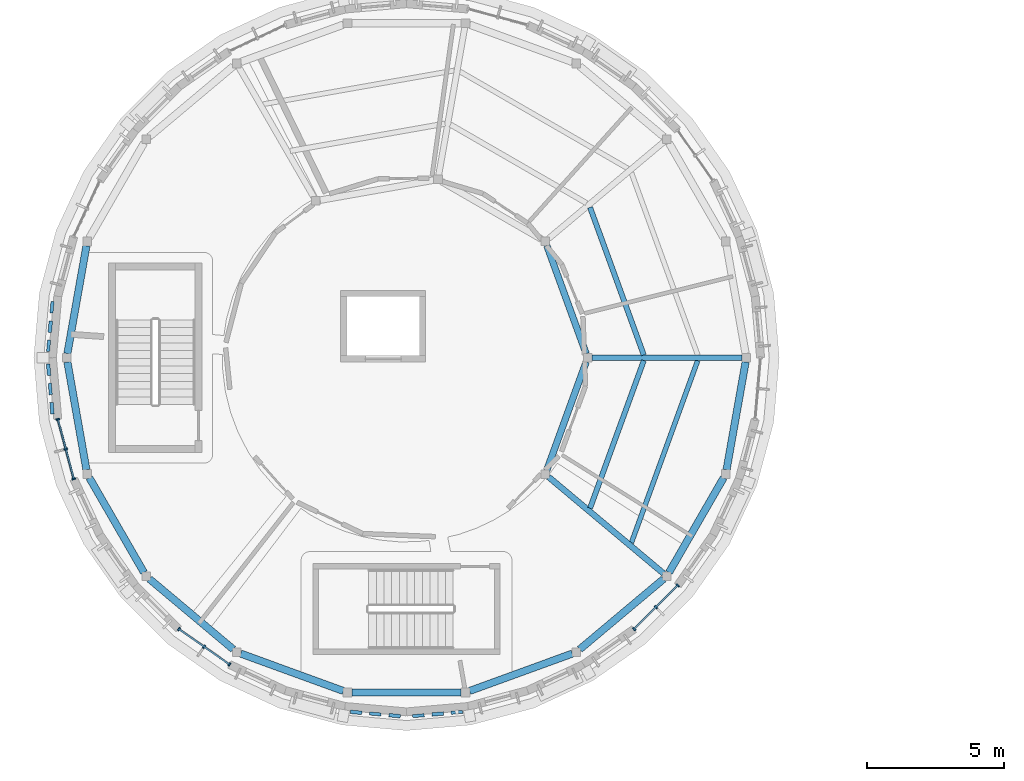
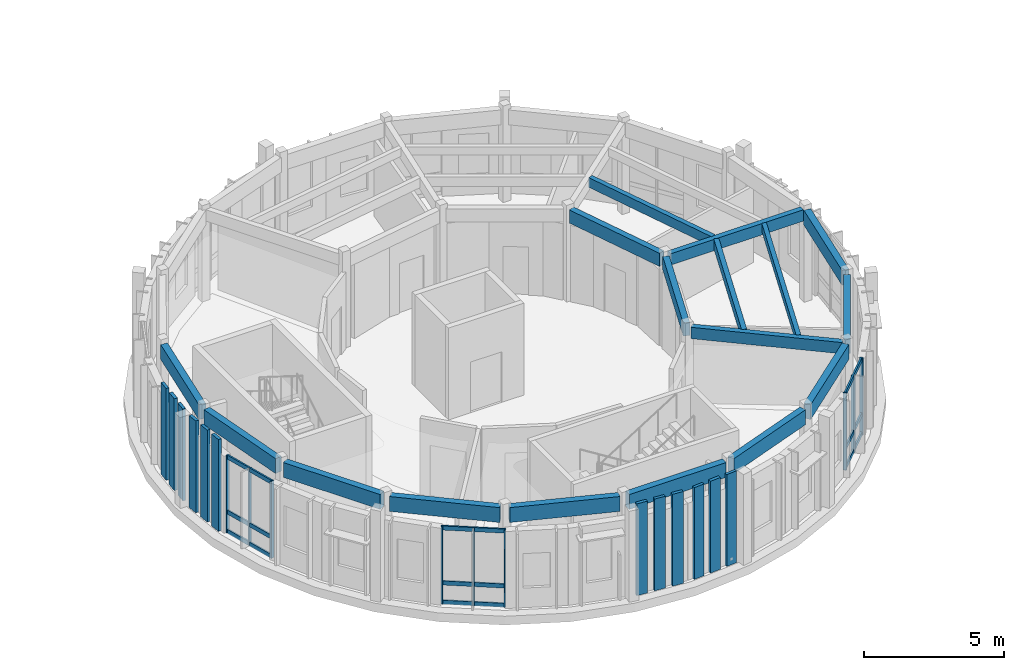
# One storey, part 4 of 37: 30 members, 17 beams, 3 elements without a shape of their own.
"""IFC4 building model written with IfcOpenShell, lengths in metres."""

from ifc_helpers import new_model, si_unit, direction, frame, origin, origin_2d, place, context, subcontext, project, spatial, rectangle, extrude, material, layer, layer_set, material_profile, profile_set, type_object, element, aggregate, save


model = new_model("IFC4")

# Units and contexts
model_context = context("Model", 3, precision=1e-05, world=origin(), true_north=direction((0.0, 1.0)))
body_context = subcontext(model_context, "Body", "Model", "MODEL_VIEW")
ifc_project = project(units=[si_unit("LENGTHUNIT", "METRE"), si_unit("AREAUNIT", "SQUARE_METRE"), si_unit("VOLUMEUNIT", "CUBIC_METRE"), si_unit("PLANEANGLEUNIT", "RADIAN"), si_unit("MASSUNIT", "GRAM", prefix="KILO")], contexts=[model_context])

# Site, building, storey
site_placement = place(None, origin())
site = spatial("IfcSite", under=ifc_project, at=site_placement, CompositionType="ELEMENT")
building_placement = place(site_placement, origin())
building = spatial("IfcBuilding", under=site, at=building_placement, Name="Aldenvaro Health Centre", CompositionType="ELEMENT")
storey_placement = place(building_placement, frame((0.0, 0.0, 12.949951171875)))
storey = spatial("IfcBuildingStorey", under=building, at=storey_placement, Name="L03", CompositionType="ELEMENT", Elevation=12.949951171875)

# Beams
ifc_material_1 = material(Name="Glulam GL28h", Category="wood")
ifc_material_profile_1 = material_profile(ifc_material_1, rectangle(XDim=0.175048828125, YDim=0.35009765625, at=origin_2d()), Name="GL 175x350", Category="wood")
ifc_profile_set_1 = profile_set([ifc_material_profile_1], Name="Glulam GL28h")
beam_type_1 = type_object("IfcBeamType", Name="BM-GL-350", PredefinedType="JOIST", material=ifc_profile_set_1)
beam_1_placement = place(storey_placement, frame((26.69189453125, 11.758056640625, 3.820068359375), z_axis=(0.342009334008, 0.939696554985, 0.0), x_axis=(-0.939696554985, 0.342009334008, 0.0)))
element("IfcBeam", 1, at=beam_1_placement, inside=storey, type_object=beam_type_1, Name="D5 L03 secondary joist 05.2", PredefinedType="JOIST", context=body_context, shape_type="SweptSolid", body=[
    extrude(rectangle(XDim=0.175048828125, YDim=0.35009765625, at=origin_2d()), origin(), (0.0, 0.0, 1.0), 7.067138671875),
])
ifc_material_profile_2 = material_profile(ifc_material_1, rectangle(XDim=0.18994140625, YDim=0.41796875, at=origin_2d()), Name="GL 190x418", Category="wood")
ifc_profile_set_2 = profile_set([ifc_material_profile_2], Name="Glulam GL28h")
beam_type_2 = type_object("IfcBeamType", Name="BM-GL-418", PredefinedType="JOIST", material=ifc_profile_set_2)
for number, where, z_axis, x_axis, name in (
    (2, (27.14404296875, 18.60107421875, 3.7861328125), (-0.341962269954, 0.939713682952, 0.0), (-0.939713682952, -0.341962269954, 0.0), "D5 L03 secondary joist 01.1"),
    (3, (25.18701171875, 13.02099609375, 3.7861328125), (0.341962269954, 0.939713682952, 0.0), (-0.939713682952, 0.341962269954, 0.0), "D5 L03 secondary joist 05.1"),
):
    element("IfcBeam", number, at=place(storey_placement, frame(where, z_axis=z_axis, x_axis=x_axis)), inside=storey, type_object=beam_type_2, Name=name, PredefinedType="JOIST", context=body_context, shape_type="SweptSolid", body=[
        extrude(rectangle(XDim=0.18994140625, YDim=0.41796875, at=origin_2d()), origin(), (0.0, 0.0, 1.0), 5.722900390625),
    ])
ifc_material_profile_3 = material_profile(ifc_material_1, rectangle(XDim=0.215087890625, YDim=0.493896484375, at=origin_2d()), Name="GL 215x494", Category="wood")
ifc_profile_set_3 = profile_set([ifc_material_profile_3], Name="Glulam GL28h")
beam_type_3 = type_object("IfcBeamType", Name="BM-GL-494", PredefinedType="BEAM", material=ifc_profile_set_3)
beam_2_placement = place(storey_placement, frame((25.258056640625, 18.5, 3.748046875), z_axis=(1.0, 0.0, 0.0), x_axis=(0.0, 1.0, 0.0)))
element("IfcBeam", 4, at=beam_2_placement, inside=storey, type_object=beam_type_3, Name="D5 L03 radial beam 01", PredefinedType="BEAM", context=body_context, shape_type="SweptSolid", body=[
    extrude(rectangle(XDim=0.215087890625, YDim=0.493896484375, at=origin_2d()), origin(), (0.0, 0.0, 1.0), 5.46484375),
])
beam_3_placement = place(storey_placement, frame((23.677001953125, 14.156982421875, 3.748046875), z_axis=(0.765916902312, -0.642939576285, 0.0), x_axis=(0.642939576285, 0.765916902312, 0.0)))
element("IfcBeam", 5, at=beam_3_placement, inside=storey, type_object=beam_type_3, Name="D5 L03 radial beam 05", PredefinedType="BEAM", context=body_context, shape_type="SweptSolid", body=[
    extrude(rectangle(XDim=0.215087890625, YDim=0.493896484375, at=origin_2d()), origin(), (0.0, 0.0, 1.0), 5.46533203125),
])
ifc_material_profile_4 = material_profile(ifc_material_1, rectangle(XDim=0.239990234375, YDim=0.570068359375, at=origin_2d()), Name="GL 240x570", Category="wood")
ifc_profile_set_4 = profile_set([ifc_material_profile_4], Name="Glulam GL28h")
beam_type_4 = type_object("IfcBeamType", Name="BM-GL-570", PredefinedType="BEAM", material=ifc_profile_set_4)
for number, where, z_axis, x_axis, name in (
    (6, (25.0458984375, 18.64794921875, 3.7099609375), (-0.341925117518, 0.939727201911, 0.0), (-0.939727201911, -0.341925117518, 0.0), "D5 L03 inner ring beam 01"),
    (7, (23.610107421875, 14.406005859375, 3.7099609375), (0.341925117518, 0.939727201911, 0.0), (-0.939727201911, 0.341925117518, 0.0), "D5 L03 inner ring beam 05"),
):
    element("IfcBeam", number, at=place(storey_placement, frame(where, z_axis=z_axis, x_axis=x_axis)), inside=storey, type_object=beam_type_4, Name=name, PredefinedType="BEAM", context=body_context, shape_type="SweptSolid", body=[
        extrude(rectangle(XDim=0.239990234375, YDim=0.570068359375, at=origin_2d()), origin(), (0.0, 0.0, 1.0), 4.19921875),
    ])
ifc_material_profile_5 = material_profile(ifc_material_1, rectangle(XDim=0.264892578125, YDim=0.64599609375, at=origin_2d()), Name="GL 265x646", Category="wood")
ifc_profile_set_5 = profile_set([ifc_material_profile_5], Name="Glulam GL28h")
beam_type_5 = type_object("IfcBeamType", Name="BM-GL-646", PredefinedType="SPANDREL", material=ifc_profile_set_5)
for number, where, z_axis, x_axis, name in (
    (8, (6.840087890625, 22.5791015625, 3.672119140625), (-0.173939117933, -0.984756408079, 0.0), (0.984756408079, -0.173939117933, 0.0), "D5 L03 perimeter spandrel 09"),
    (9, (6.14697265625, 18.344970703125, 3.672119140625), (0.173939117933, -0.984756408079, 0.0), (0.984756408079, 0.173939117933, 0.0), "D5 L03 perimeter spandrel 10"),
    (10, (6.946044921875, 14.1298828125, 3.672119140625), (0.499625213324, -0.86624167887, 0.0), (0.86624167887, 0.499625213324, 0.0), "D5 L03 perimeter spandrel 11"),
):
    element("IfcBeam", number, at=place(storey_placement, frame(where, z_axis=z_axis, x_axis=x_axis)), inside=storey, type_object=beam_type_5, Name=name, PredefinedType="SPANDREL", context=body_context, shape_type="SweptSolid", body=[
        extrude(rectangle(XDim=0.264892578125, YDim=0.64599609375, at=origin_2d()), origin(), (0.0, 0.0, 1.0), 3.98486328125),
    ])
beam_4_placement = place(storey_placement, frame((9.136962890625, 10.44091796875, 3.672119140625), z_axis=(0.766031905624, -0.642802550995, 0.0), x_axis=(0.642802550995, 0.766031905624, 0.0)))
element("IfcBeam", 11, at=beam_4_placement, inside=storey, type_object=beam_type_5, Name="D5 L03 perimeter spandrel 12", PredefinedType="SPANDREL", context=body_context, shape_type="SweptSolid", body=[
    extrude(rectangle(XDim=0.264892578125, YDim=0.64599609375, at=origin_2d()), origin(), (0.0, 0.0, 1.0), 3.984130859375),
])
beam_5_placement = place(storey_placement, frame((12.4580078125, 7.72509765625, 3.672119140625), z_axis=(0.939662752653, -0.3421021942, 0.0), x_axis=(0.3421021942, 0.939662752653, 0.0)))
element("IfcBeam", 12, at=beam_5_placement, inside=storey, type_object=beam_type_5, Name="D5 L03 perimeter spandrel 13", PredefinedType="SPANDREL", context=body_context, shape_type="SweptSolid", body=[
    extrude(rectangle(XDim=0.264892578125, YDim=0.64599609375, at=origin_2d()), origin(), (0.0, 0.0, 1.0), 3.984375),
])
beam_6_placement = place(storey_placement, frame((16.508056640625, 6.30810546875, 3.672119140625), z_axis=(1.0, 0.0, 0.0), x_axis=(0.0, 1.0, 0.0)))
element("IfcBeam", 13, at=beam_6_placement, inside=storey, type_object=beam_type_5, Name="D5 L03 perimeter spandrel 14", PredefinedType="SPANDREL", context=body_context, shape_type="SweptSolid", body=[
    extrude(rectangle(XDim=0.264892578125, YDim=0.64599609375, at=origin_2d()), origin(), (0.0, 0.0, 1.0), 3.98388671875),
])
beam_7_placement = place(storey_placement, frame((20.798095703125, 6.362060546875, 3.672119140625), z_axis=(0.939662752653, 0.3421021942, 0.0), x_axis=(-0.3421021942, 0.939662752653, 0.0)))
element("IfcBeam", 14, at=beam_7_placement, inside=storey, type_object=beam_type_5, Name="D5 L03 perimeter spandrel 15", PredefinedType="SPANDREL", context=body_context, shape_type="SweptSolid", body=[
    extrude(rectangle(XDim=0.264892578125, YDim=0.64599609375, at=origin_2d()), origin(), (0.0, 0.0, 1.0), 3.984375),
])
beam_8_placement = place(storey_placement, frame((24.81103515625, 7.8798828125, 3.672119140625), z_axis=(0.766031905624, 0.642802550995, 0.0), x_axis=(-0.642802550995, 0.766031905624, 0.0)))
element("IfcBeam", 15, at=beam_8_placement, inside=storey, type_object=beam_type_5, Name="D5 L03 perimeter spandrel 16", PredefinedType="SPANDREL", context=body_context, shape_type="SweptSolid", body=[
    extrude(rectangle(XDim=0.264892578125, YDim=0.64599609375, at=origin_2d()), origin(), (0.0, 0.0, 1.0), 3.984130859375),
])
for number, where, z_axis, x_axis, name in (
    (16, (28.06298828125, 10.677978515625, 3.672119140625), (0.499625213324, 0.86624167887, 0.0), (-0.86624167887, 0.499625213324, 0.0), "D5 L03 perimeter spandrel 17"),
    (17, (30.159912109375, 14.4208984375, 3.672119140625), (0.173939117933, 0.984756408079, 0.0), (-0.984756408079, 0.173939117933, 0.0), "D5 L03 perimeter spandrel 18"),
):
    element("IfcBeam", number, at=place(storey_placement, frame(where, z_axis=z_axis, x_axis=x_axis)), inside=storey, type_object=beam_type_5, Name=name, PredefinedType="SPANDREL", context=body_context, shape_type="SweptSolid", body=[
        extrude(rectangle(XDim=0.264892578125, YDim=0.64599609375, at=origin_2d()), origin(), (0.0, 0.0, 1.0), 3.98486328125),
    ])

# Curtain wall, members
ifc_material_2 = material(Name="Anodised Aluminium 6063-T6", Category="aluminium")
ifc_layer = layer(ifc_material_2, 0.22509765625, Name="Anodised Aluminium 6063-T6", Category="aluminium")
ifc_layer_set = layer_set([ifc_layer], Name="Anodised Aluminium 6063-T6")
curtain_wall_type = type_object("IfcCurtainWallType", Name="CW-TER-04", PredefinedType="NOTDEFINED", material=ifc_layer_set)
curtain_wall_1_placement = place(storey_placement, origin())
curtain_wall_1 = element("IfcCurtainWall", 18, at=curtain_wall_1_placement, inside=storey, type_object=curtain_wall_type, Name="D5 L03 curtain wall bay 05", PredefinedType="NOTDEFINED")
ifc_material_profile_6 = material_profile(ifc_material_2, rectangle(XDim=0.06005859375, YDim=0.135009765625, at=origin_2d()), Name="ALU 60x135", Category="aluminium")
ifc_profile_set_6 = profile_set([ifc_material_profile_6], Name="Anodised Aluminium 6063-T6")
member_type_1 = type_object("IfcMemberType", Name="CWM-150", PredefinedType="MULLION", material=ifc_profile_set_6)
member_1_placement = place(storey_placement, frame((28.382080078125, 10.2080078125, 0.0), z_axis=(0.0, 0.0, 1.0), x_axis=(-0.707106781187, -0.707106781187, 0.0)))
member_1 = element("IfcMember", 19, at=member_1_placement, type_object=member_type_1, Name="D5 L03 curtain wall bay 05 mullion 1", PredefinedType="MULLION", context=body_context, shape_type="SweptSolid", body=[
    extrude(rectangle(XDim=0.06005859375, YDim=0.135009765625, at=origin_2d()), origin(), (0.0, 0.0, 1.0), 3.34912109375),
])
member_2_placement = place(storey_placement, frame((27.5869140625, 9.4130859375, 0.0), z_axis=(0.0, 0.0, 1.0), x_axis=(-0.707106781187, -0.707106781187, 0.0)))
member_2 = element("IfcMember", 20, at=member_2_placement, type_object=member_type_1, Name="D5 L03 curtain wall bay 05 mullion 2", PredefinedType="MULLION", context=body_context, shape_type="SweptSolid", body=[
    extrude(rectangle(XDim=0.06005859375, YDim=0.135009765625, at=origin_2d()), origin(), (0.0, 0.0, 1.0), 3.34912109375),
])
member_3_placement = place(storey_placement, frame((26.7919921875, 8.617919921875, 0.0), z_axis=(0.0, 0.0, 1.0), x_axis=(-0.707106781187, -0.707106781187, 0.0)))
member_3 = element("IfcMember", 21, at=member_3_placement, type_object=member_type_1, Name="D5 L03 curtain wall bay 05 mullion 3", PredefinedType="MULLION", context=body_context, shape_type="SweptSolid", body=[
    extrude(rectangle(XDim=0.06005859375, YDim=0.135009765625, at=origin_2d()), origin(), (0.0, 0.0, 1.0), 3.34912109375),
])

curtain_wall_2_placement = place(storey_placement, origin())
curtain_wall_2 = element("IfcCurtainWall", 22, at=curtain_wall_2_placement, inside=storey, type_object=curtain_wall_type, Name="D5 L03 curtain wall bay 13", PredefinedType="NOTDEFINED")
member_4_placement = place(storey_placement, frame((12.050048828125, 7.327880859375, 0.0), z_axis=(0.0, 0.0, 1.0), x_axis=(-0.819106553991, 0.573641397746, 0.0)))
member_4 = element("IfcMember", 23, at=member_4_placement, type_object=member_type_1, Name="D5 L03 curtain wall bay 13 mullion 1", PredefinedType="MULLION", context=body_context, shape_type="SweptSolid", body=[
    extrude(rectangle(XDim=0.06005859375, YDim=0.135009765625, at=origin_2d()), origin(), (0.0, 0.0, 1.0), 3.34912109375),
])
member_5_placement = place(storey_placement, frame((11.12890625, 7.972900390625, 0.0), z_axis=(0.0, 0.0, 1.0), x_axis=(-0.819106553991, 0.573641397746, 0.0)))
member_5 = element("IfcMember", 24, at=member_5_placement, type_object=member_type_1, Name="D5 L03 curtain wall bay 13 mullion 2", PredefinedType="MULLION", context=body_context, shape_type="SweptSolid", body=[
    extrude(rectangle(XDim=0.06005859375, YDim=0.135009765625, at=origin_2d()), origin(), (0.0, 0.0, 1.0), 3.34912109375),
])
member_6_placement = place(storey_placement, frame((10.2080078125, 8.617919921875, 0.0), z_axis=(0.0, 0.0, 1.0), x_axis=(-0.819106553991, 0.573641397746, 0.0)))
member_6 = element("IfcMember", 25, at=member_6_placement, type_object=member_type_1, Name="D5 L03 curtain wall bay 13 mullion 3", PredefinedType="MULLION", context=body_context, shape_type="SweptSolid", body=[
    extrude(rectangle(XDim=0.06005859375, YDim=0.135009765625, at=origin_2d()), origin(), (0.0, 0.0, 1.0), 3.34912109375),
])

curtain_wall_3_placement = place(storey_placement, origin())
curtain_wall_3 = element("IfcCurtainWall", 26, at=curtain_wall_3_placement, inside=storey, type_object=curtain_wall_type, Name="D5 L03 curtain wall bay 17", PredefinedType="NOTDEFINED")
member_7_placement = place(storey_placement, frame((6.3779296875, 14.087890625, 0.0), z_axis=(0.0, 0.0, 1.0), x_axis=(-0.258825000966, 0.9659242304, 0.0)))
member_7 = element("IfcMember", 27, at=member_7_placement, type_object=member_type_1, Name="D5 L03 curtain wall bay 17 mullion 1", PredefinedType="MULLION", context=body_context, shape_type="SweptSolid", body=[
    extrude(rectangle(XDim=0.06005859375, YDim=0.135009765625, at=origin_2d()), origin(), (0.0, 0.0, 1.0), 3.34912109375),
])
member_8_placement = place(storey_placement, frame((6.0869140625, 15.174072265625, 0.0), z_axis=(0.0, 0.0, 1.0), x_axis=(-0.258825000966, 0.9659242304, 0.0)))
member_8 = element("IfcMember", 28, at=member_8_placement, type_object=member_type_1, Name="D5 L03 curtain wall bay 17 mullion 2", PredefinedType="MULLION", context=body_context, shape_type="SweptSolid", body=[
    extrude(rectangle(XDim=0.06005859375, YDim=0.135009765625, at=origin_2d()), origin(), (0.0, 0.0, 1.0), 3.34912109375),
])
member_9_placement = place(storey_placement, frame((5.7958984375, 16.260009765625, 0.0), z_axis=(0.0, 0.0, 1.0), x_axis=(-0.258825000966, 0.9659242304, 0.0)))
member_9 = element("IfcMember", 29, at=member_9_placement, type_object=member_type_1, Name="D5 L03 curtain wall bay 17 mullion 3", PredefinedType="MULLION", context=body_context, shape_type="SweptSolid", body=[
    extrude(rectangle(XDim=0.06005859375, YDim=0.135009765625, at=origin_2d()), origin(), (0.0, 0.0, 1.0), 3.34912109375),
])

# Member
ifc_material_profile_7 = material_profile(ifc_material_2, rectangle(XDim=0.06494140625, YDim=0.179931640625, at=origin_2d()), Name="ALU 65x180", Category="aluminium")
ifc_profile_set_7 = profile_set([ifc_material_profile_7], Name="Anodised Aluminium 6063-T6")
member_type_2 = type_object("IfcMemberType", Name="CWT-150", PredefinedType="USERDEFINED", material=ifc_profile_set_7)
member_10_placement = place(storey_placement, frame((28.382080078125, 10.2080078125, 0.06005859375), z_axis=(-0.707106781187, -0.707106781187, 0.0), x_axis=(0.707106781187, -0.707106781187, 0.0)))
member_10 = element("IfcMember", 30, at=member_10_placement, type_object=member_type_2, Name="D5 L03 curtain wall bay 05 transom 1", ObjectType="TRANSOM", PredefinedType="USERDEFINED", context=body_context, shape_type="SweptSolid", body=[
    extrude(rectangle(XDim=0.06494140625, YDim=0.179931640625, at=origin_2d()), origin(), (0.0, 0.0, 1.0), 2.248779296875),
])

member_11_placement = place(storey_placement, frame((28.382080078125, 10.2080078125, 0.900146484375), z_axis=(-0.707106781187, -0.707106781187, 0.0), x_axis=(0.707106781187, -0.707106781187, 0.0)))
member_11 = element("IfcMember", 31, at=member_11_placement, type_object=member_type_2, Name="D5 L03 curtain wall bay 05 transom 2", ObjectType="TRANSOM", PredefinedType="USERDEFINED", context=body_context, shape_type="SweptSolid", body=[
    extrude(rectangle(XDim=0.06494140625, YDim=0.179931640625, at=origin_2d()), origin(), (0.0, 0.0, 1.0), 2.248779296875),
])

member_12_placement = place(storey_placement, frame((28.382080078125, 10.2080078125, 3.2890625), z_axis=(-0.707106781187, -0.707106781187, 0.0), x_axis=(0.707106781187, -0.707106781187, 0.0)))
member_12 = element("IfcMember", 32, at=member_12_placement, type_object=member_type_2, Name="D5 L03 curtain wall bay 05 transom 3", ObjectType="TRANSOM", PredefinedType="USERDEFINED", context=body_context, shape_type="SweptSolid", body=[
    extrude(rectangle(XDim=0.06494140625, YDim=0.179931640625, at=origin_2d()), origin(), (0.0, 0.0, 1.0), 2.248779296875),
])

aggregate(curtain_wall_1, [member_1, member_2, member_3, member_10, member_11, member_12])

member_13_placement = place(storey_placement, frame((12.050048828125, 7.327880859375, 0.06005859375), z_axis=(-0.819104393925, 0.573644482107, 0.0), x_axis=(-0.573644482107, -0.819104393925, 0.0)))
member_13 = element("IfcMember", 33, at=member_13_placement, type_object=member_type_2, Name="D5 L03 curtain wall bay 13 transom 1", ObjectType="TRANSOM", PredefinedType="USERDEFINED", context=body_context, shape_type="SweptSolid", body=[
    extrude(rectangle(XDim=0.06494140625, YDim=0.179931640625, at=origin_2d()), origin(), (0.0, 0.0, 1.0), 2.248779296875),
])

member_14_placement = place(storey_placement, frame((12.050048828125, 7.327880859375, 0.900146484375), z_axis=(-0.819104393925, 0.573644482107, 0.0), x_axis=(-0.573644482107, -0.819104393925, 0.0)))
member_14 = element("IfcMember", 34, at=member_14_placement, type_object=member_type_2, Name="D5 L03 curtain wall bay 13 transom 2", ObjectType="TRANSOM", PredefinedType="USERDEFINED", context=body_context, shape_type="SweptSolid", body=[
    extrude(rectangle(XDim=0.06494140625, YDim=0.179931640625, at=origin_2d()), origin(), (0.0, 0.0, 1.0), 2.248779296875),
])

member_15_placement = place(storey_placement, frame((12.050048828125, 7.327880859375, 3.2890625), z_axis=(-0.819104393925, 0.573644482107, 0.0), x_axis=(-0.573644482107, -0.819104393925, 0.0)))
member_15 = element("IfcMember", 35, at=member_15_placement, type_object=member_type_2, Name="D5 L03 curtain wall bay 13 transom 3", ObjectType="TRANSOM", PredefinedType="USERDEFINED", context=body_context, shape_type="SweptSolid", body=[
    extrude(rectangle(XDim=0.06494140625, YDim=0.179931640625, at=origin_2d()), origin(), (0.0, 0.0, 1.0), 2.248779296875),
])

aggregate(curtain_wall_2, [member_4, member_5, member_6, member_13, member_14, member_15])

member_16_placement = place(storey_placement, frame((6.3779296875, 14.087890625, 0.06005859375), z_axis=(-0.258824721145, 0.96592430538, 0.0), x_axis=(-0.96592430538, -0.258824721145, 0.0)))
member_16 = element("IfcMember", 36, at=member_16_placement, type_object=member_type_2, Name="D5 L03 curtain wall bay 17 transom 1", ObjectType="TRANSOM", PredefinedType="USERDEFINED", context=body_context, shape_type="SweptSolid", body=[
    extrude(rectangle(XDim=0.06494140625, YDim=0.179931640625, at=origin_2d()), origin(), (0.0, 0.0, 1.0), 2.248779296875),
])

member_17_placement = place(storey_placement, frame((6.3779296875, 14.087890625, 0.900146484375), z_axis=(-0.258824721145, 0.96592430538, 0.0), x_axis=(-0.96592430538, -0.258824721145, 0.0)))
member_17 = element("IfcMember", 37, at=member_17_placement, type_object=member_type_2, Name="D5 L03 curtain wall bay 17 transom 2", ObjectType="TRANSOM", PredefinedType="USERDEFINED", context=body_context, shape_type="SweptSolid", body=[
    extrude(rectangle(XDim=0.06494140625, YDim=0.179931640625, at=origin_2d()), origin(), (0.0, 0.0, 1.0), 2.248779296875),
])

member_18_placement = place(storey_placement, frame((6.3779296875, 14.087890625, 3.2890625), z_axis=(-0.258824721145, 0.96592430538, 0.0), x_axis=(-0.96592430538, -0.258824721145, 0.0)))
member_18 = element("IfcMember", 38, at=member_18_placement, type_object=member_type_2, Name="D5 L03 curtain wall bay 17 transom 3", ObjectType="TRANSOM", PredefinedType="USERDEFINED", context=body_context, shape_type="SweptSolid", body=[
    extrude(rectangle(XDim=0.06494140625, YDim=0.179931640625, at=origin_2d()), origin(), (0.0, 0.0, 1.0), 2.248779296875),
])

aggregate(curtain_wall_3, [member_7, member_8, member_9, member_16, member_17, member_18])

# Members
ifc_material_profile_8 = material_profile(ifc_material_1, rectangle(XDim=0.114990234375, YDim=0.419921875, at=origin_2d()), Name="GL 115x420", Category="wood")
ifc_profile_set_8 = profile_set([ifc_material_profile_8], Name="Glulam GL28h")
member_type_3 = type_object("IfcMemberType", Name="MEM-SLT-420A", PredefinedType="POST", material=ifc_profile_set_8)
for number, where, z_axis, x_axis, name in (
    (39, (20.3369140625, 5.5849609375, 0.0), (0.0, 0.0, 1.0), (0.087166950289, -0.996193717495, 0.0), "D5 L03 vertical timber slat 9.1"),
    (40, (18.93408203125, 5.4619140625, 0.0), (0.0, 0.0, 1.0), (0.087166950289, -0.996193717495, 0.0), "D5 L03 vertical timber slat 9.3"),
    (41, (17.364990234375, 5.52392578125, 0.0), (0.0, 0.0, 1.0), (-0.087166950289, -0.996193717495, 0.0), "D5 L03 vertical timber slat 10.2"),
    (42, (5.52392578125, 17.364990234375, 0.0), (0.0, 0.0, 1.0), (-0.996193717495, -0.087166950289, 0.0), "D5 L03 vertical timber slat 18.2"),
    (43, (5.4619140625, 18.93408203125, 0.0), (0.0, 0.0, 1.0), (-0.996193717495, 0.087166950289, 0.0), "D5 L03 vertical timber slat 19.1"),
    (44, (5.5849609375, 20.3369140625, 0.0), (0.0, 0.0, 1.0), (-0.996193717495, 0.087166950289, 0.0), "D5 L03 vertical timber slat 19.3"),
):
    element("IfcMember", number, at=place(storey_placement, frame(where, z_axis=z_axis, x_axis=x_axis)), inside=storey, type_object=member_type_3, Name=name, PredefinedType="POST", context=body_context, shape_type="SweptSolid", body=[
        extrude(rectangle(XDim=0.114990234375, YDim=0.419921875, at=origin_2d()), origin(), (0.0, 0.0, 1.0), 3.9951171875),
    ])
ifc_material_profile_9 = material_profile(ifc_material_1, rectangle(XDim=0.1298828125, YDim=0.419921875, at=origin_2d()), Name="GL 130x420", Category="wood")
ifc_profile_set_9 = profile_set([ifc_material_profile_9], Name="Glulam GL28h")
member_type_4 = type_object("IfcMemberType", Name="MEM-SLT-420B", PredefinedType="POST", material=ifc_profile_set_9)
for number, where, z_axis, x_axis, name in (
    (45, (19.635009765625, 5.52392578125, 0.0), (0.0, 0.0, 1.0), (0.087166950289, -0.996193717495, 0.0), "D5 L03 vertical timber slat 9.2"),
    (46, (18.06591796875, 5.4619140625, 0.0), (0.0, 0.0, 1.0), (-0.087166950289, -0.996193717495, 0.0), "D5 L03 vertical timber slat 10.1"),
    (47, (16.6630859375, 5.5849609375, 0.0), (0.0, 0.0, 1.0), (-0.087166950289, -0.996193717495, 0.0), "D5 L03 vertical timber slat 10.3"),
    (48, (5.5849609375, 16.6630859375, 0.0), (0.0, 0.0, 1.0), (-0.996193717495, -0.087166950289, 0.0), "D5 L03 vertical timber slat 18.1"),
    (49, (5.4619140625, 18.06591796875, 0.0), (0.0, 0.0, 1.0), (-0.996193717495, -0.087166950289, 0.0), "D5 L03 vertical timber slat 18.3"),
    (50, (5.52392578125, 19.635009765625, 0.0), (0.0, 0.0, 1.0), (-0.996193717495, 0.087166950289, 0.0), "D5 L03 vertical timber slat 19.2"),
):
    element("IfcMember", number, at=place(storey_placement, frame(where, z_axis=z_axis, x_axis=x_axis)), inside=storey, type_object=member_type_4, Name=name, PredefinedType="POST", context=body_context, shape_type="SweptSolid", body=[
        extrude(rectangle(XDim=0.1298828125, YDim=0.419921875, at=origin_2d()), origin(), (0.0, 0.0, 1.0), 3.9951171875),
    ])

save(model, "model.ifc")
